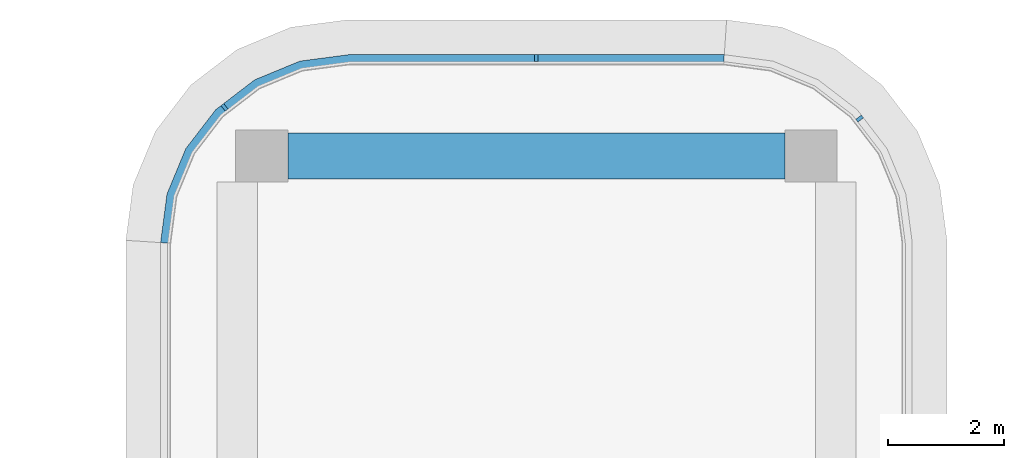
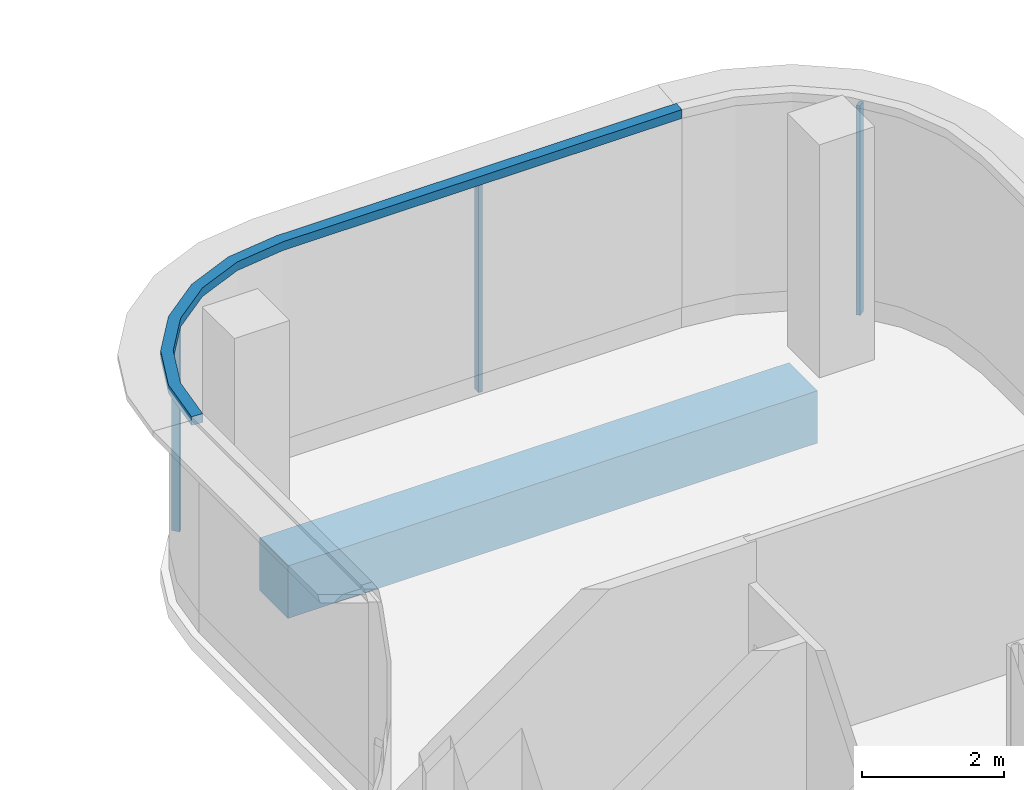
# One storey, part 6 of 11: 4 members, 1 beam, 2 elements without a shape of their own.
"""IFC4 building model written with IfcOpenShell, lengths in metres."""

from ifc_helpers import new_model, si_unit, direction, frame, origin, origin_2d, place, context, subcontext, project, spatial, polyline, rectangle, outline, extrude, source, transform, mapped, material, layer, layer_set, material_profile, profile_set, type_object, element, aggregate, save


model = new_model("IFC4")

# Units and contexts
model_context = context("Model", 3, precision=1e-05, world=origin(), true_north=direction((0.0, 1.0)))
body_context = subcontext(model_context, "Body", "Model", "MODEL_VIEW")
ifc_project = project(units=[si_unit("LENGTHUNIT", "METRE"), si_unit("AREAUNIT", "SQUARE_METRE"), si_unit("VOLUMEUNIT", "CUBIC_METRE"), si_unit("PLANEANGLEUNIT", "RADIAN"), si_unit("MASSUNIT", "GRAM", prefix="KILO")], contexts=[model_context])

# Site, building, storey
site_placement = place(None, origin())
site = spatial("IfcSite", under=ifc_project, at=site_placement, CompositionType="ELEMENT")
building_placement = place(site_placement, origin())
building = spatial("IfcBuilding", under=site, at=building_placement, Name="Trellis Farm Tower", CompositionType="ELEMENT")
storey_placement = place(building_placement, frame((0.0, 0.0, 342.10009765625)))
storey = spatial("IfcBuildingStorey", under=building, at=storey_placement, Name="L77", CompositionType="ELEMENT", Elevation=342.10009765625)

# Curtain wall, member
ifc_material_1 = material(Name="Aluminium and glass curtain wall", Category="aluminium")
ifc_layer_1 = layer(ifc_material_1, 0.176025390625)
ifc_layer_set_1 = layer_set([ifc_layer_1], Name="CROWN LANTERN CURTAIN WALL CW5")
curtain_wall_type = type_object("IfcCurtainWallType", Name="CROWN LANTERN CURTAIN WALL CW5", PredefinedType="NOTDEFINED", material=ifc_layer_set_1)
placement = place(storey_placement, origin())
curtain_wall_1 = element("IfcCurtainWall", 1, at=placement, inside=storey, type_object=curtain_wall_type, Name="CW5 009", PredefinedType="NOTDEFINED")
ifc_material_2 = material(Name="Aluminium extrusion 6063-T6", Category="aluminium")
ifc_layer_2 = layer(ifc_material_2, 0.176025390625)
ifc_layer_set_2 = layer_set([ifc_layer_2], Name="Aluminium extrusion 6063-T6")
member_type_1 = type_object("IfcMemberType", Name="CW5 TRANSOM 176x150", PredefinedType="USERDEFINED", material=ifc_layer_set_2)
member_1_placement = place(storey_placement, frame((0.0, 0.0, 3.599853515625)))
member_1 = element("IfcMember", 2, at=member_1_placement, type_object=member_type_1, Name="TR5 009", ObjectType="TRANSOM", PredefinedType="USERDEFINED", context=body_context, shape_type="SweptSolid", body=[
    extrude(outline(polyline([(3.25, 16.25), (-3.25, 16.25), (-4.091064453125, 16.13916015625), (-4.875, 15.814697265625), (-5.548095703125, 15.298095703125), (-6.064697265625, 14.625), (-6.38916015625, 13.841064453125), (-6.5, 13.0), (-6.323974609375, 12.988525390625), (-6.2177734375, 13.795166015625), (-5.910888671875, 14.5361328125), (-5.422607421875, 15.172607421875), (-4.7861328125, 15.660888671875), (-4.045166015625, 15.9677734375), (-3.238525390625, 16.073974609375), (3.238525390625, 16.073974609375), (3.25, 16.25)])), origin(), (0.0, 0.0, 1.0), 0.150146484375),
])

# Beam
ifc_material_3 = material(Name="Concrete C60/75", Category="concrete")
ifc_material_profile_1 = material_profile(ifc_material_3, rectangle(XDim=0.800048828125, YDim=0.89990234375, at=origin_2d()), Name="RC spandrel beam 800x900 C60/75")
ifc_profile_set_1 = profile_set([ifc_material_profile_1], Name="Concrete C60/75")
beam_type = type_object("IfcBeamType", Name="RC spandrel beam 800x900 C60/75", PredefinedType="SPANDREL", material=ifc_profile_set_1)
shared_shape_1 = source(origin(), body_context, "Body", "SweptSolid", [
    extrude(rectangle(XDim=0.800048828125, YDim=0.89990234375, at=origin_2d()), origin(), (0.0, 0.0, 1.0), 8.60009765625),
])
beam_placement = place(storey_placement, frame((-4.300048828125, 14.5, -0.7001953125), z_axis=(1.0, 0.0, 0.0), x_axis=(0.0, 1.0, 0.0)))
element("IfcBeam", 3, at=beam_placement, inside=storey, type_object=beam_type, Name="Girder", PredefinedType="SPANDREL", context=body_context, shape_type="MappedRepresentation", body=[
    mapped(shared_shape_1, transform((0.0, 0.0, 0.0))),
])

# Curtain wall, member
curtain_wall_2 = element("IfcCurtainWall", 4, at=placement, inside=storey, type_object=curtain_wall_type, Name="CW5 008", PredefinedType="NOTDEFINED")
ifc_material_profile_2 = material_profile(ifc_material_2, rectangle(XDim=0.06005859375, YDim=0.1201171875, at=origin_2d()), Name="MULLION 60x120")
ifc_profile_set_2 = profile_set([ifc_material_profile_2], Name="Aluminium extrusion 6063-T6")
member_type_2 = type_object("IfcMemberType", Name="CW5 MULLION 60x120", PredefinedType="MULLION", material=ifc_profile_set_2)
shared_shape_2 = source(origin(), body_context, "Body", "SweptSolid", [
    extrude(rectangle(XDim=0.06005859375, YDim=0.1201171875, at=origin_2d()), origin(), (0.0, 0.0, 1.0), 3.599853515625),
])
member_2_placement = place(storey_placement, frame((5.590087890625, 15.144775390625, 0.0), z_axis=(0.0, 0.0, 1.0), x_axis=(-0.608761429009, 0.793353340291, 0.0)))
member_2 = element("IfcMember", 5, at=member_2_placement, type_object=member_type_2, Name="MU5 008-01", PredefinedType="MULLION", context=body_context, shape_type="MappedRepresentation", body=[
    mapped(shared_shape_2, transform((0.0, 0.0, 0.0))),
])
aggregate(curtain_wall_2, [member_2])

# Member
member_3_placement = place(storey_placement, frame((0.0, 16.18994140625, 0.0), z_axis=(0.0, 0.0, 1.0), x_axis=(-1.0, 0.0, 0.0)))
member_3 = element("IfcMember", 6, at=member_3_placement, type_object=member_type_2, Name="MU5 009-01", PredefinedType="MULLION", context=body_context, shape_type="MappedRepresentation", body=[
    mapped(shared_shape_2, transform((0.0, 0.0, 0.0))),
])

member_4_placement = place(storey_placement, frame((-5.394775390625, 15.340087890625, 0.0), z_axis=(0.0, 0.0, 1.0), x_axis=(-0.793353340291, -0.608761429009, 0.0)))
member_4 = element("IfcMember", 7, at=member_4_placement, type_object=member_type_2, Name="MU5 009-02", PredefinedType="MULLION", context=body_context, shape_type="MappedRepresentation", body=[
    mapped(shared_shape_2, transform((0.0, 0.0, 0.0))),
])

aggregate(curtain_wall_1, [member_3, member_4, member_1])

save(model, "model.ifc")
